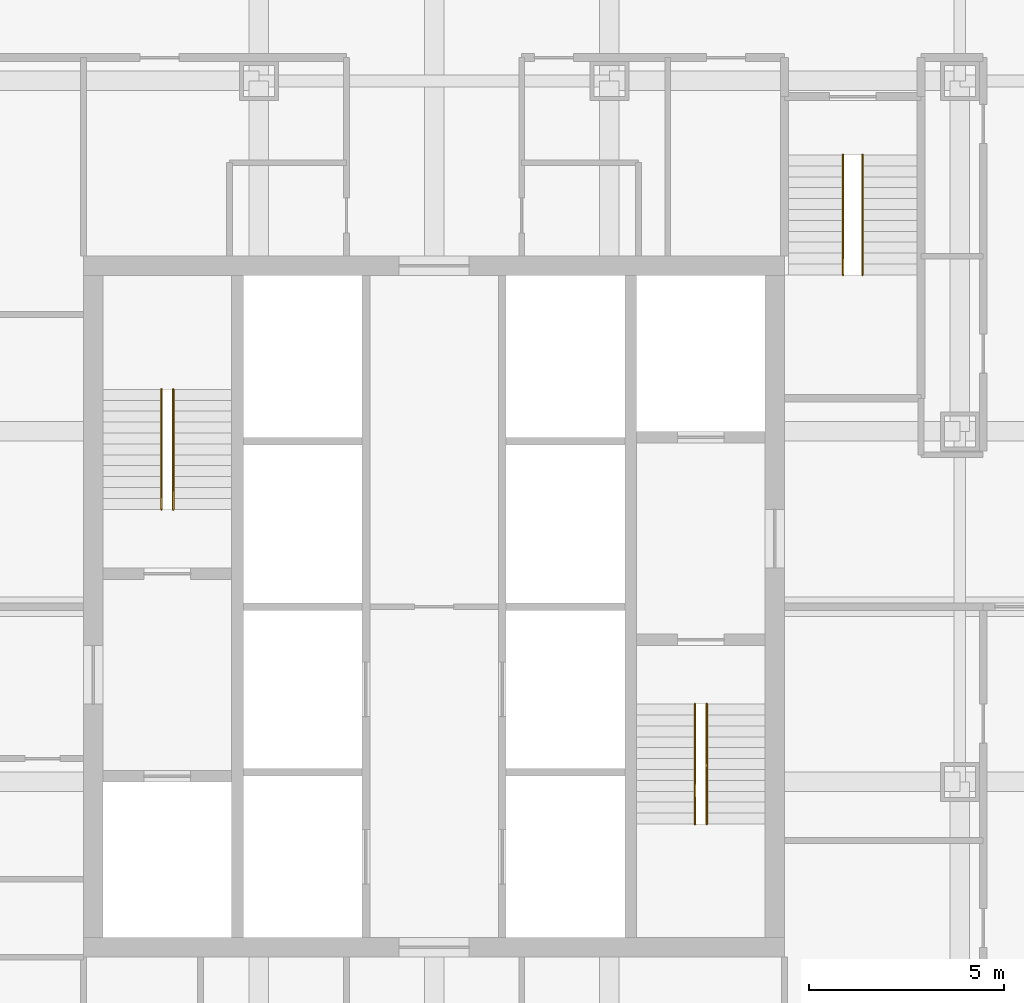
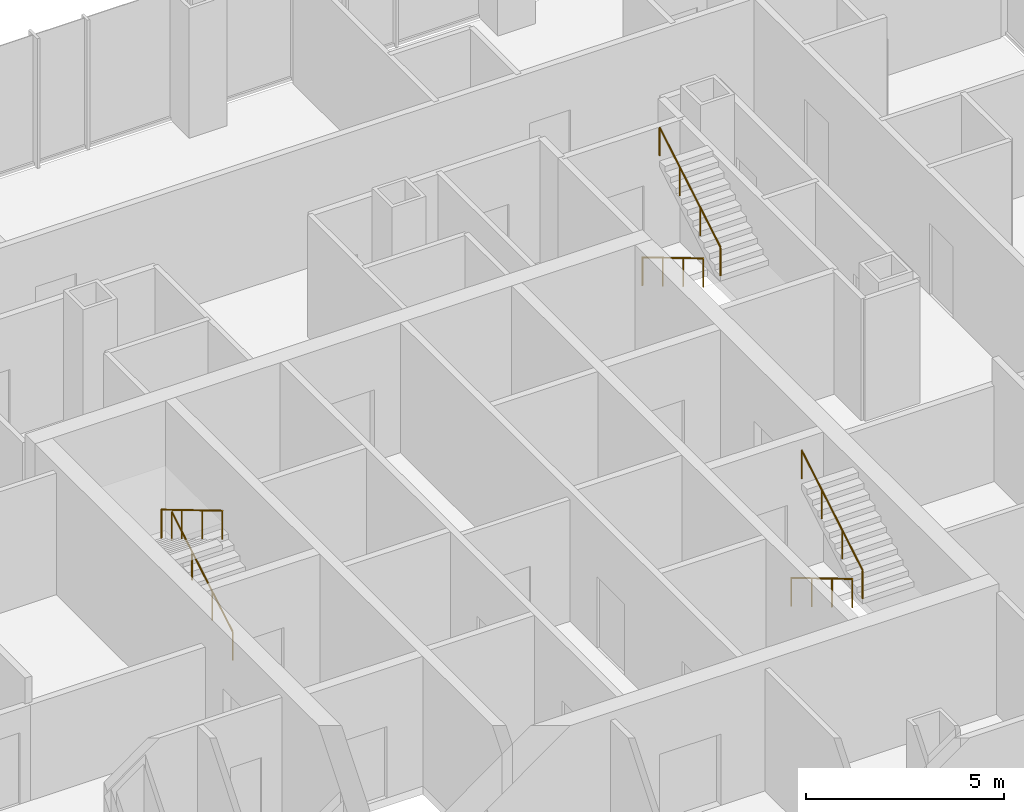
# One storey, part 12 of 12: 6 railings.
"""IFC4 building model written with IfcOpenShell, lengths in metres."""

from ifc_helpers import new_model, si_unit, direction, frame, origin, origin_2d, place, context, subcontext, project, spatial, circle, extrude, material, type_object, element, save


model = new_model("IFC4")

# Units and contexts
model_context = context("Model", 3, precision=1e-05, world=origin(), true_north=direction((0.0, 1.0)))
body_context = subcontext(model_context, "Body", "Model", "MODEL_VIEW")
ifc_project = project(units=[si_unit("LENGTHUNIT", "METRE"), si_unit("AREAUNIT", "SQUARE_METRE"), si_unit("VOLUMEUNIT", "CUBIC_METRE"), si_unit("PLANEANGLEUNIT", "RADIAN"), si_unit("MASSUNIT", "GRAM", prefix="KILO")], contexts=[model_context])

# Site, building, storey
site_placement = place(None, origin())
site = spatial("IfcSite", under=ifc_project, at=site_placement, CompositionType="ELEMENT")
building_placement = place(site_placement, origin())
building = spatial("IfcBuilding", under=site, at=building_placement, Name="Malebo Sky Hospital", CompositionType="ELEMENT")
storey_placement = place(building_placement, frame((0.0, 0.0, 136.0)))
storey = spatial("IfcBuildingStorey", under=building, at=storey_placement, Name="L32", CompositionType="ELEMENT", Elevation=136.0)

# Railings
ifc_material = material(Name="Stainless steel tube", Category="steel")
railing_type = type_object("IfcRailingType", Name="STAIR HANDRAIL 900", PredefinedType="HANDRAIL", material=ifc_material)
railing_1_placement = place(storey_placement, frame((53.300048828125, 64.5, 0.166748046875)))
element("IfcRailing", 1, at=railing_1_placement, inside=storey, type_object=railing_type, Name="Stair handrail S1 flight 1", PredefinedType="HANDRAIL", context=body_context, shape_type="SweptSolid", body=[
    extrude(circle(Radius=0.02392578125, at=origin_2d()), frame((0.0, 0.0, 0.8759765625), z_axis=(0.0, 0.859308565015, 0.511457515432), x_axis=(-1.0, 0.0, 0.0)), (0.0, 0.0, 1.0), 3.58447265625),
    extrude(circle(Radius=0.02099609375, at=origin_2d()), origin(), (0.0, 0.0, 1.0), 0.851806640625),
    extrude(circle(Radius=0.02099609375, at=origin_2d()), frame((0.0, 1.026611328125, 0.611083984375)), (0.0, 0.0, 1.0), 0.851806640625),
    extrude(circle(Radius=0.02099609375, at=origin_2d()), frame((0.0, 2.053466796875, 1.22216796875)), (0.0, 0.0, 1.0), 0.851806640625),
    extrude(circle(Radius=0.02099609375, at=origin_2d()), frame((0.0, 3.080078125, 1.833251953125)), (0.0, 0.0, 1.0), 0.851806640625),
])
for number, where, name in (
    (2, (53.0, 67.580078125, 2.166748046875), "Stair handrail S1 flight 2"),
    (3, (66.699951171875, 59.5, 0.166748046875), "Stair handrail S2 flight 1"),
):
    element("IfcRailing", number, at=place(storey_placement, frame(where)), inside=storey, type_object=railing_type, Name=name, PredefinedType="HANDRAIL", context=body_context, shape_type="SweptSolid", body=[
        extrude(circle(Radius=0.02392578125, at=origin_2d()), frame((0.0, 0.0, 0.8759765625), z_axis=(0.0, -0.859308565015, 0.511457515432), x_axis=(1.0, 0.0, 0.0)), (0.0, 0.0, 1.0), 3.58447265625),
        extrude(circle(Radius=0.02099609375, at=origin_2d()), origin(), (0.0, 0.0, 1.0), 0.851806640625),
        extrude(circle(Radius=0.02099609375, at=origin_2d()), frame((0.0, -1.026611328125, 0.611083984375)), (0.0, 0.0, 1.0), 0.851806640625),
        extrude(circle(Radius=0.02099609375, at=origin_2d()), frame((0.0, -2.053466796875, 1.22216796875)), (0.0, 0.0, 1.0), 0.851806640625),
        extrude(circle(Radius=0.02099609375, at=origin_2d()), frame((0.0, -3.080078125, 1.833251953125)), (0.0, 0.0, 1.0), 0.851806640625),
    ])
railing_2_placement = place(storey_placement, frame((67.0, 56.419921875, 2.166748046875)))
element("IfcRailing", 4, at=railing_2_placement, inside=storey, type_object=railing_type, Name="Stair handrail S2 flight 2", PredefinedType="HANDRAIL", context=body_context, shape_type="SweptSolid", body=[
    extrude(circle(Radius=0.02392578125, at=origin_2d()), frame((0.0, 0.0, 0.8759765625), z_axis=(0.0, 0.859308565015, 0.511457515432), x_axis=(-1.0, 0.0, 0.0)), (0.0, 0.0, 1.0), 3.58447265625),
    extrude(circle(Radius=0.02099609375, at=origin_2d()), origin(), (0.0, 0.0, 1.0), 0.851806640625),
    extrude(circle(Radius=0.02099609375, at=origin_2d()), frame((0.0, 1.026611328125, 0.611083984375)), (0.0, 0.0, 1.0), 0.851806640625),
    extrude(circle(Radius=0.02099609375, at=origin_2d()), frame((0.0, 2.053466796875, 1.22216796875)), (0.0, 0.0, 1.0), 0.851806640625),
    extrude(circle(Radius=0.02099609375, at=origin_2d()), frame((0.0, 3.080078125, 1.833251953125)), (0.0, 0.0, 1.0), 0.851806640625),
])
railing_3_placement = place(storey_placement, frame((70.5, 73.60009765625, 0.166748046875)))
element("IfcRailing", 5, at=railing_3_placement, inside=storey, type_object=railing_type, Name="Stair handrail S3 flight 1", PredefinedType="HANDRAIL", context=body_context, shape_type="SweptSolid", body=[
    extrude(circle(Radius=0.02392578125, at=origin_2d()), frame((0.0, 0.0, 0.8759765625), z_axis=(0.0, -0.859308565015, 0.511457515432), x_axis=(1.0, 0.0, 0.0)), (0.0, 0.0, 1.0), 3.58447265625),
    extrude(circle(Radius=0.02099609375, at=origin_2d()), origin(), (0.0, 0.0, 1.0), 0.851806640625),
    extrude(circle(Radius=0.02099609375, at=origin_2d()), frame((0.0, -1.026611328125, 0.611083984375)), (0.0, 0.0, 1.0), 0.851806640625),
    extrude(circle(Radius=0.02099609375, at=origin_2d()), frame((0.0, -2.053466796875, 1.22216796875)), (0.0, 0.0, 1.0), 0.851806640625),
    extrude(circle(Radius=0.02099609375, at=origin_2d()), frame((0.0, -3.080078125, 1.833251953125)), (0.0, 0.0, 1.0), 0.851806640625),
])
railing_4_placement = place(storey_placement, frame((71.0, 70.52001953125, 2.166748046875)))
element("IfcRailing", 6, at=railing_4_placement, inside=storey, type_object=railing_type, Name="Stair handrail S3 flight 2", PredefinedType="HANDRAIL", context=body_context, shape_type="SweptSolid", body=[
    extrude(circle(Radius=0.02392578125, at=origin_2d()), frame((0.0, 0.0, 0.8759765625), z_axis=(0.0, 0.859308565015, 0.511457515432), x_axis=(-1.0, 0.0, 0.0)), (0.0, 0.0, 1.0), 3.58447265625),
    extrude(circle(Radius=0.02099609375, at=origin_2d()), origin(), (0.0, 0.0, 1.0), 0.851806640625),
    extrude(circle(Radius=0.02099609375, at=origin_2d()), frame((0.0, 1.026611328125, 0.611083984375)), (0.0, 0.0, 1.0), 0.851806640625),
    extrude(circle(Radius=0.02099609375, at=origin_2d()), frame((0.0, 2.053466796875, 1.22216796875)), (0.0, 0.0, 1.0), 0.851806640625),
    extrude(circle(Radius=0.02099609375, at=origin_2d()), frame((0.0, 3.080078125, 1.833251953125)), (0.0, 0.0, 1.0), 0.851806640625),
])

save(model, "model.ifc")
